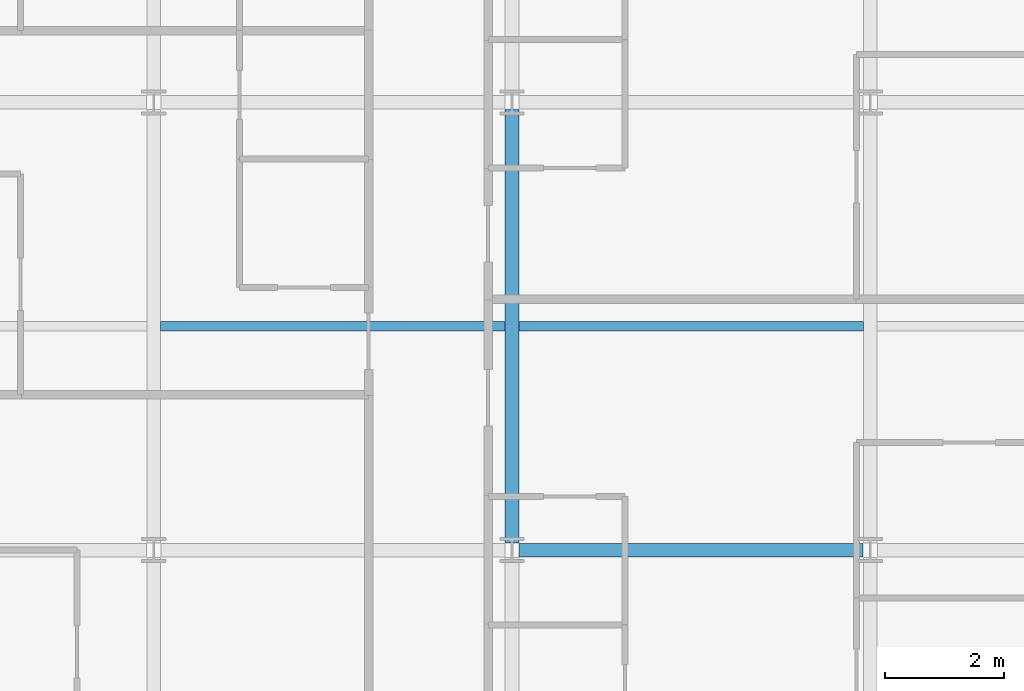
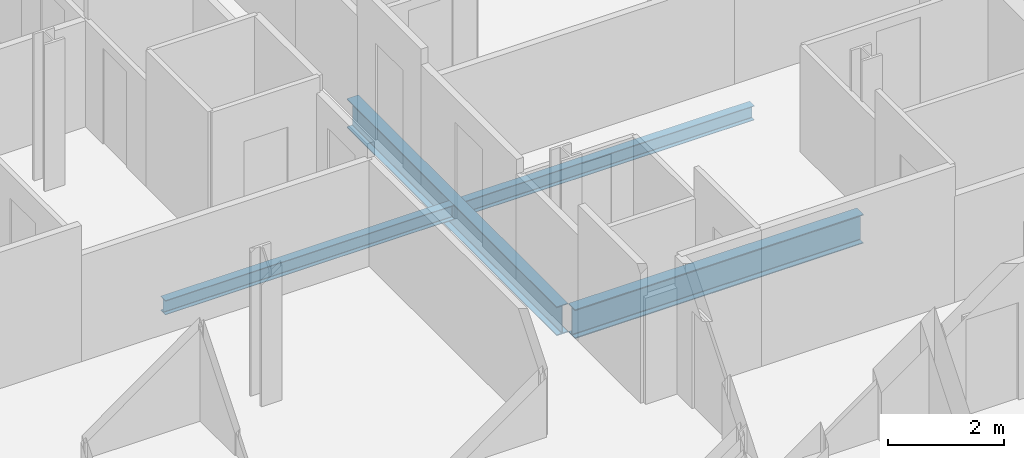
# One storey, part 6 of 41: 4 beams.
"""IFC4 building model written with IfcOpenShell, lengths in metres."""

from ifc_helpers import new_model, si_unit, direction, frame, origin, origin_2d, place, context, subcontext, project, spatial, i_section, extrude, material, material_profile, profile_set, type_object, element, save


model = new_model("IFC4")

# Units and contexts
model_context = context("Model", 3, precision=1e-05, world=origin(), true_north=direction((0.0, 1.0)))
body_context = subcontext(model_context, "Body", "Model", "MODEL_VIEW")
ifc_project = project(units=[si_unit("LENGTHUNIT", "METRE"), si_unit("AREAUNIT", "SQUARE_METRE"), si_unit("VOLUMEUNIT", "CUBIC_METRE"), si_unit("PLANEANGLEUNIT", "RADIAN"), si_unit("MASSUNIT", "GRAM", prefix="KILO")], contexts=[model_context])

# Site, building, storey
site_placement = place(None, origin())
site = spatial("IfcSite", under=ifc_project, at=site_placement, CompositionType="ELEMENT")
building_placement = place(site_placement, origin())
building = spatial("IfcBuilding", under=site, at=building_placement, Name="Brevholm Reach", CompositionType="ELEMENT")
storey_placement = place(building_placement, frame((0.0, 0.0, 106.60009765625)))
storey = spatial("IfcBuildingStorey", under=building, at=storey_placement, Name="L31", CompositionType="ELEMENT", Elevation=106.60009765625)

# Beams
ifc_material_1 = material(Name="Structural Steel S355J2", Category="steel")
ifc_material_profile_1 = material_profile(ifc_material_1, i_section(OverallWidth=0.1650390625, OverallDepth=0.303466796875, WebThickness=0.006103515625, FlangeThickness=0.01025390625, FilletRadius=0.0087890625, at=origin_2d()), Name="UKB 305x165x40")
ifc_profile_set_1 = profile_set([ifc_material_profile_1], Name="Structural Steel S355J2")
beam_type_1 = type_object("IfcBeamType", Name="BM-B305", PredefinedType="BEAM", material=ifc_profile_set_1)
for number, where, z_axis, x_axis, name in (
    (1, (6.114501953125, 19.75, -0.371826171875), (1.0, 0.0, 0.0), (0.0, 1.0, 0.0), "L31 Composite Secondary Floor Beam"),
    (2, (12.114501953125, 19.75, -0.371826171875), (1.0, 0.0, 0.0), (0.0, 1.0, 0.0), "L31 Composite Secondary Floor Beam"),
):
    element("IfcBeam", number, at=place(storey_placement, frame(where, z_axis=z_axis, x_axis=x_axis)), inside=storey, type_object=beam_type_1, Name=name, PredefinedType="BEAM", context=body_context, shape_type="SweptSolid", body=[
        extrude(i_section(OverallWidth=0.1650390625, OverallDepth=0.303466796875, WebThickness=0.006103515625, FlangeThickness=0.01025390625, FilletRadius=0.0087890625, at=origin_2d()), origin(), (0.0, 0.0, 1.0), 5.77099609375),
    ])
ifc_material_2 = material(Name="Structural Steel S355J2", Category="steel")
ifc_material_profile_2 = material_profile(ifc_material_2, i_section(OverallWidth=0.22900390625, OverallDepth=0.6123046875, WebThickness=0.011962890625, FlangeThickness=0.01953125, FilletRadius=0.0126953125, at=origin_2d()), Name="UKB 610x229x125")
ifc_profile_set_2 = profile_set([ifc_material_profile_2], Name="Structural Steel S355J2")
beam_type_2 = type_object("IfcBeamType", Name="BM-SP610", PredefinedType="SPANDREL", material=ifc_profile_set_2)
beam_1_placement = place(storey_placement, frame((12.1201171875, 16.0, -0.526123046875), z_axis=(1.0, 0.0, 0.0), x_axis=(0.0, 1.0, 0.0)))
element("IfcBeam", 3, at=beam_1_placement, inside=storey, type_object=beam_type_2, Name="L31 SP-01 Framing Beam", PredefinedType="SPANDREL", context=body_context, shape_type="SweptSolid", body=[
    extrude(i_section(OverallWidth=0.22900390625, OverallDepth=0.6123046875, WebThickness=0.011962890625, FlangeThickness=0.01953125, FilletRadius=0.0126953125, at=origin_2d()), origin(), (0.0, 0.0, 1.0), 5.759765625),
])
beam_2_placement = place(storey_placement, frame((12.0, 16.1201171875, -0.526123046875), z_axis=(0.0, 1.0, 0.0), x_axis=(-1.0, 0.0, 0.0)))
element("IfcBeam", 4, at=beam_2_placement, inside=storey, type_object=beam_type_2, Name="L31 SP-01 Framing Beam", PredefinedType="SPANDREL", context=body_context, shape_type="SweptSolid", body=[
    extrude(i_section(OverallWidth=0.22900390625, OverallDepth=0.6123046875, WebThickness=0.011962890625, FlangeThickness=0.01953125, FilletRadius=0.0126953125, at=origin_2d()), origin(), (0.0, 0.0, 1.0), 7.259765625),
])

save(model, "model.ifc")
